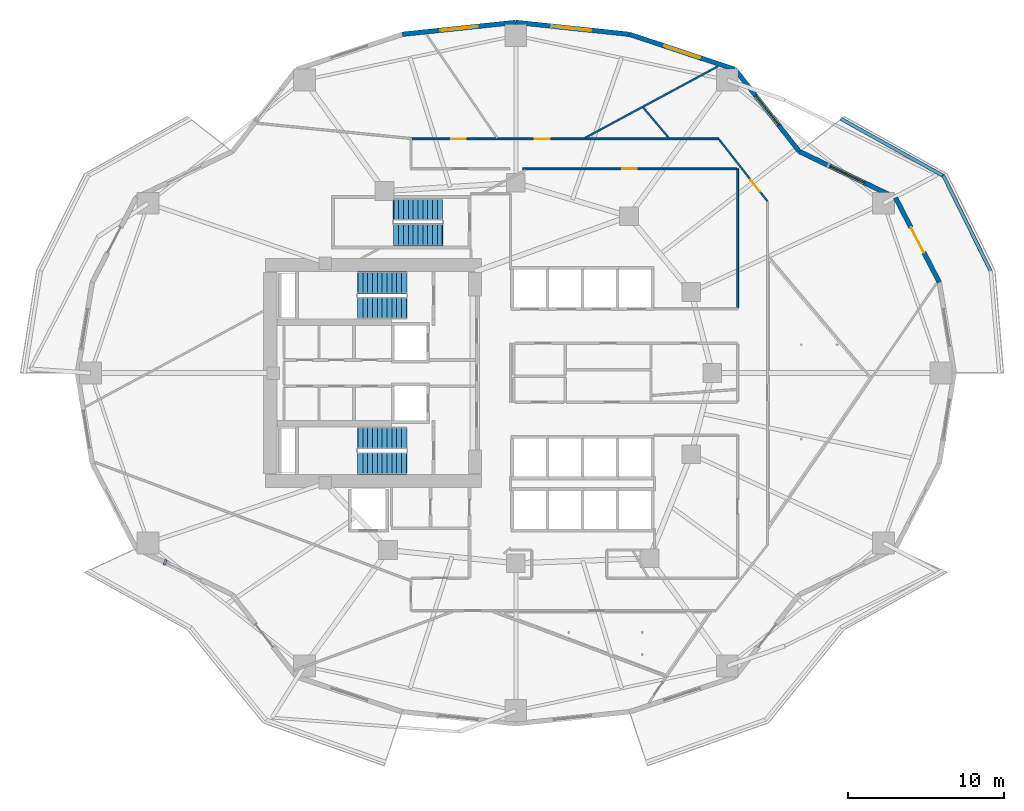
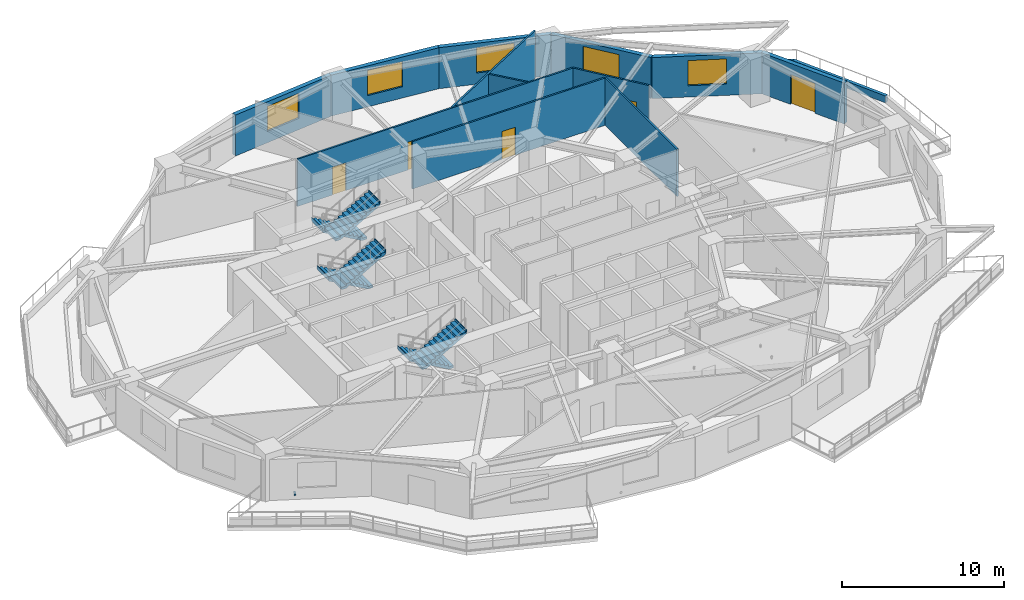
# One storey, part 7 of 16: 14 walls, 6 stair flights, 5 doors, 5 windows, 1 discrete accessory, 10 openings, 3 elements without a shape of their own.
"""IFC4 building model written with IfcOpenShell, lengths in metres."""

from ifc_helpers import new_model, si_unit, direction, frame, frame_2d, origin, origin_2d, place, context, subcontext, project, spatial, polyline, rectangle, outline, extrude, material, layer, layer_set, type_object, element, fill, aggregate, save


model = new_model("IFC4")

# Units and contexts
model_context = context("Model", 3, precision=1e-05, world=origin(), true_north=direction((0.0, 1.0)))
body_context = subcontext(model_context, "Body", "Model", "MODEL_VIEW")
ifc_project = project(units=[si_unit("LENGTHUNIT", "METRE"), si_unit("AREAUNIT", "SQUARE_METRE"), si_unit("VOLUMEUNIT", "CUBIC_METRE"), si_unit("PLANEANGLEUNIT", "RADIAN"), si_unit("MASSUNIT", "GRAM", prefix="KILO")], contexts=[model_context])

# Site, building, storey
site_placement = place(None, origin())
site = spatial("IfcSite", under=ifc_project, at=site_placement, CompositionType="ELEMENT")
building_placement = place(site_placement, origin())
building = spatial("IfcBuilding", under=site, at=building_placement, Name="Kolvaren Gate Tower and Convention Centre", CompositionType="ELEMENT")
storey_placement = place(building_placement, frame((0.0, 0.0, 34.199951171875)))
storey = spatial("IfcBuildingStorey", under=building, at=storey_placement, Name="L07", CompositionType="ELEMENT", Elevation=34.199951171875)

# Wall
ifc_material_1 = material(Name="Fire-Rated Acoustic Gypsum Stud Partition", Category="gypsum")
ifc_layer_1 = layer(ifc_material_1, 0.1201171875)
ifc_layer_set_1 = layer_set([ifc_layer_1], Name="Fire-Rated Acoustic Gypsum Stud Partition")
wall_type_1 = type_object("IfcWallType", Name="ARCH-WL-PART-120", PredefinedType="PARTITIONING", material=ifc_layer_set_1)
wall_1_placement = place(storey_placement, frame((44.35009765625, 31.181884765625, 0.0), z_axis=(0.0, 0.0, 1.0), x_axis=(0.0, 1.0, 0.0)))
element("IfcWall", 1, at=wall_1_placement, inside=storey, type_object=wall_type_1, Name="Interior Partition WL-L07-INT-028", PredefinedType="PARTITIONING", context=body_context, shape_type="SweptSolid", body=[
    extrude(rectangle(XDim=8.918212890625, YDim=0.1201171875, at=frame_2d((4.458984375, 0.0))), origin(), (0.0, 0.0, 1.0), 3.570068359375),
])

# Wall, opening, door
wall_2_placement = place(storey_placement, frame((30.556884765625, 40.10009765625, 0.0), z_axis=(0.0, 0.0, 1.0), x_axis=(1.0, 0.0, 0.0)))
wall_2 = element("IfcWall", 2, at=wall_2_placement, inside=storey, type_object=wall_type_1, Name="Interior Partition WL-L07-INT-030", PredefinedType="PARTITIONING", context=body_context, shape_type="SweptSolid", body=[
    extrude(rectangle(XDim=13.731201171875, YDim=0.1201171875, at=frame_2d((6.86572265625, 0.0))), origin(), (0.0, 0.0, 1.0), 3.570068359375),
])
opening_1_placement = place(wall_2_placement, frame((6.390380859375, 0.0, 0.0)))
opening_1 = element("IfcOpeningElement", 3, at=opening_1_placement, cuts=wall_2, Name="Opening DR-01", PredefinedType="OPENING", context=body_context, shape_type="SweptSolid", body=[
    extrude(rectangle(XDim=0.949951171875, YDim=2.10009765625, at=frame_2d((0.47509765625, 1.050048828125))), frame((0.0, 0.070068359375, 0.0), z_axis=(0.0, -1.0, 0.0), x_axis=(1.0, 0.0, 0.0)), (0.0, 0.0, 1.0), 0.14013671875),
])
ifc_material_2 = material(Name="Painted Architectural Steelwork ASTM A500 Grade C 345 MPa", Category="steel")
door_type_1 = type_object("IfcDoorType", Name="ARCH-DR-RISER-950", OperationType="SINGLE_SWING_RIGHT", PredefinedType="DOOR", material=ifc_material_2)
door_1_placement = place(opening_1_placement, origin())
door_1 = element("IfcDoor", 4, at=door_1_placement, inside=storey, type_object=door_type_1, Name="Conference and Training Seminar Room Door", OperationType="SINGLE_SWING_RIGHT", OverallHeight=2.10009765625, OverallWidth=0.949951171875, PredefinedType="DOOR", context=body_context, shape_type="SweptSolid", body=[
    extrude(rectangle(XDim=0.949951171875, YDim=2.10009765625, at=frame_2d((0.47509765625, 1.050048828125))), frame((0.0, 0.02490234375, 0.0), z_axis=(0.0, -1.0, 0.0), x_axis=(1.0, 0.0, 0.0)), (0.0, 0.0, 1.0), 0.050048828125),
])
fill(opening_1, door_1)

# Wall, openings, doors
wall_3_placement = place(storey_placement, frame((23.4619140625, 42.02001953125, 0.0), z_axis=(0.0, 0.0, 1.0), x_axis=(1.0, 0.0, 0.0)))
wall_3 = element("IfcWall", 5, at=wall_3_placement, inside=storey, type_object=wall_type_1, Name="Interior Partition WL-L07-INT-033", PredefinedType="PARTITIONING", context=body_context, shape_type="SweptSolid", body=[
    extrude(rectangle(XDim=19.675048828125, YDim=0.1201171875, at=frame_2d((9.83740234375, 0.0))), origin(), (0.0, 0.0, 1.0), 3.570068359375),
])
opening_2_placement = place(wall_3_placement, frame((7.877197265625, 0.0, 0.0)))
opening_2 = element("IfcOpeningElement", 6, at=opening_2_placement, cuts=wall_3, Name="Opening DR-01", PredefinedType="OPENING", context=body_context, shape_type="SweptSolid", body=[
    extrude(rectangle(XDim=0.949951171875, YDim=2.10009765625, at=frame_2d((0.47509765625, 1.050048828125))), frame((0.0, 0.070068359375, 0.0), z_axis=(0.0, -1.0, 0.0), x_axis=(1.0, 0.0, 0.0)), (0.0, 0.0, 1.0), 0.14013671875),
])
opening_3_placement = place(wall_3_placement, frame((2.511474609375, 0.0, 0.0)))
opening_3 = element("IfcOpeningElement", 7, at=opening_3_placement, cuts=wall_3, Name="Opening DR-01", PredefinedType="OPENING", context=body_context, shape_type="SweptSolid", body=[
    extrude(rectangle(XDim=0.949951171875, YDim=2.10009765625, at=frame_2d((0.47509765625, 1.050048828125))), frame((0.0, 0.070068359375, 0.0), z_axis=(0.0, -1.0, 0.0), x_axis=(1.0, 0.0, 0.0)), (0.0, 0.0, 1.0), 0.14013671875),
])
door_2_placement = place(opening_2_placement, origin())
door_2 = element("IfcDoor", 8, at=door_2_placement, inside=storey, type_object=door_type_1, Name="Project Seminar Room Door", OperationType="SINGLE_SWING_LEFT", OverallHeight=2.10009765625, OverallWidth=0.949951171875, PredefinedType="DOOR", context=body_context, shape_type="SweptSolid", body=[
    extrude(rectangle(XDim=0.949951171875, YDim=2.10009765625, at=frame_2d((0.47509765625, 1.050048828125))), frame((0.0, 0.02490234375, 0.0), z_axis=(0.0, -1.0, 0.0), x_axis=(1.0, 0.0, 0.0)), (0.0, 0.0, 1.0), 0.050048828125),
])
fill(opening_2, door_2)
door_3_placement = place(opening_3_placement, origin())
door_3 = element("IfcDoor", 9, at=door_3_placement, inside=storey, type_object=door_type_1, Name="Executive Seminar Conference Room Door", OperationType="SINGLE_SWING_RIGHT", OverallHeight=2.10009765625, OverallWidth=0.949951171875, PredefinedType="DOOR", context=body_context, shape_type="SweptSolid", body=[
    extrude(rectangle(XDim=0.949951171875, YDim=2.10009765625, at=frame_2d((0.47509765625, 1.050048828125))), frame((0.0, 0.02490234375, 0.0), z_axis=(0.0, -1.0, 0.0), x_axis=(1.0, 0.0, 0.0)), (0.0, 0.0, 1.0), 0.050048828125),
])
fill(opening_3, door_3)

# Wall, opening, door
wall_4_placement = place(storey_placement, frame((43.136962890625, 42.02001953125, 0.0), z_axis=(0.0, 0.0, 1.0), x_axis=(0.616441660183, -0.787400583941, 0.0)))
wall_4 = element("IfcWall", 10, at=wall_4_placement, inside=storey, type_object=wall_type_1, Name="Interior Partition WL-L07-INT-034", PredefinedType="PARTITIONING", context=body_context, shape_type="SweptSolid", body=[
    extrude(rectangle(XDim=5.08251953125, YDim=0.1201171875, at=frame_2d((2.541259765625, 0.0))), origin(), (0.0, 0.0, 1.0), 3.570068359375),
])
opening_4_placement = place(wall_4_placement, frame((3.326171875, 0.0, 0.0)))
opening_4 = element("IfcOpeningElement", 11, at=opening_4_placement, cuts=wall_4, Name="Opening DR-01", PredefinedType="OPENING", context=body_context, shape_type="SweptSolid", body=[
    extrude(rectangle(XDim=0.949951171875, YDim=2.10009765625, at=frame_2d((0.47509765625, 1.050048828125))), frame((0.0, 0.070068359375, 0.0), z_axis=(0.0, -1.0, 0.0), x_axis=(1.0, 0.0, 0.0)), (0.0, 0.0, 1.0), 0.14013671875),
])
door_4_placement = place(opening_4_placement, origin())
door_4 = element("IfcDoor", 12, at=door_4_placement, inside=storey, type_object=door_type_1, Name="Conference and Training Seminar Room Door", OperationType="SINGLE_SWING_LEFT", OverallHeight=2.10009765625, OverallWidth=0.949951171875, PredefinedType="DOOR", context=body_context, shape_type="SweptSolid", body=[
    extrude(rectangle(XDim=0.949951171875, YDim=2.10009765625, at=frame_2d((0.47509765625, 1.050048828125))), frame((0.0, 0.02490234375, 0.0), z_axis=(0.0, -1.0, 0.0), x_axis=(1.0, 0.0, 0.0)), (0.0, 0.0, 1.0), 0.050048828125),
])
fill(opening_4, door_4)

# Walls
wall_5_placement = place(storey_placement, frame((34.556884765625, 42.08203125, 0.0), z_axis=(0.0, 0.0, 1.0), x_axis=(0.880504205361, 0.474038336362, 0.0)))
element("IfcWall", 13, at=wall_5_placement, inside=storey, type_object=wall_type_1, Name="Interior Partition WL-L07-INT-053", PredefinedType="PARTITIONING", context=body_context, shape_type="SweptSolid", body=[
    extrude(rectangle(XDim=9.708251953125, YDim=0.1201171875, at=frame_2d((4.85400390625, 0.0))), origin(), (0.0, 0.0, 1.0), 3.570068359375),
])
wall_6_placement = place(storey_placement, frame((38.30224609375, 44.028076171875, 0.0), z_axis=(0.0, 0.0, 1.0), x_axis=(0.644336623354, -0.764741992965, 0.0)))
element("IfcWall", 14, at=wall_6_placement, inside=storey, type_object=wall_type_1, Name="Interior Partition WL-L07-INT-060", PredefinedType="PARTITIONING", context=body_context, shape_type="SweptSolid", body=[
    extrude(rectangle(XDim=2.544677734375, YDim=0.1201171875, at=frame_2d((1.2724609375, 0.0))), origin(), (0.0, 0.0, 1.0), 3.570068359375),
])
ifc_material_3 = material(Name="Piedmont Cream Honed Limestone Cladding", Category="masonry")
ifc_layer_2 = layer(ifc_material_3, 0.219970703125)
ifc_layer_set_2 = layer_set([ifc_layer_2], Name="Piedmont Cream Honed Limestone Cladding")
wall_type_2 = type_object("IfcWallType", Name="ARCH-WL-PLANTER-220", PredefinedType="PARAPET", material=ifc_layer_set_2)
wall_7_placement = place(storey_placement, frame((57.538818359375, 39.696533203125, 0.0), z_axis=(0.0, 0.0, 1.0), x_axis=(0.443578479433, -0.8962355341, 0.0)))
element("IfcWall", 15, at=wall_7_placement, inside=storey, type_object=wall_type_2, Name="Vertical-Forest Balcony Stone Planter Kerb PK-L07-1.2", PredefinedType="PARAPET", context=body_context, shape_type="SweptSolid", body=[
    extrude(rectangle(XDim=6.9111328125, YDim=0.219970703125, at=frame_2d((3.45556640625, 0.0))), origin(), (0.0, 0.0, 1.0), 0.52001953125),
])
wall_8_placement = place(storey_placement, frame((50.959228515625, 43.322021484375, 0.0), z_axis=(0.0, 0.0, 1.0), x_axis=(0.873500119739, -0.48682393205, 0.0)))
element("IfcWall", 16, at=wall_8_placement, inside=storey, type_object=wall_type_2, Name="Vertical-Forest Balcony Stone Planter Kerb PK-L07-1.3", PredefinedType="PARAPET", context=body_context, shape_type="SweptSolid", body=[
    extrude(rectangle(XDim=7.56201171875, YDim=0.219970703125, at=frame_2d((3.781005859375, 0.0))), origin(), (0.0, 0.0, 1.0), 0.52001953125),
])

# Wall, opening, door
ifc_layer_3 = layer(ifc_material_3, 0.300048828125)
ifc_layer_set_3 = layer_set([ifc_layer_3], Name="Piedmont Cream Honed Limestone Cladding")
wall_type_3 = type_object("IfcWallType", Name="ARCH-WL-STONE-300", PredefinedType="SOLIDWALL", material=ifc_layer_set_3)
wall_9_placement = place(storey_placement, frame((54.48193359375, 38.25, 0.0), z_axis=(0.0, 0.0, 1.0), x_axis=(0.459809804413, -0.88801742312, 0.0)))
wall_9 = element("IfcWall", 17, at=wall_9_placement, inside=storey, type_object=wall_type_3, Name="Tower L07 Honed Stone Spandrel Wall EW-01", PredefinedType="SOLIDWALL", context=body_context, shape_type="SweptSolid", body=[
    extrude(rectangle(XDim=6.11083984375, YDim=0.300048828125, at=frame_2d((3.055419921875, 0.0))), origin(), (0.0, 0.0, 1.0), 3.093017578125),
])
opening_5_placement = place(wall_9_placement, frame((2.155029296875, 0.0, 0.0)))
opening_5 = element("IfcOpeningElement", 18, at=opening_5_placement, cuts=wall_9, Name="Opening DB-01", PredefinedType="OPENING", context=body_context, shape_type="SweptSolid", body=[
    extrude(rectangle(XDim=1.800048828125, YDim=2.25, at=frame_2d((0.89990234375, 1.125))), frame((0.0, 0.159912109375, 0.0), z_axis=(0.0, -1.0, 0.0), x_axis=(1.0, 0.0, 0.0)), (0.0, 0.0, 1.0), 0.320068359375),
])
ifc_material_4 = material(Name="Anodized Architectural Aluminium Alloy 6063-T6", Category="aluminium")
door_type_2 = type_object("IfcDoorType", Name="ARCH-DR-BALC-1800", OperationType="SLIDING_TO_LEFT", PredefinedType="DOOR", material=ifc_material_4)
door_5_placement = place(opening_5_placement, origin())
door_5 = element("IfcDoor", 19, at=door_5_placement, inside=storey, type_object=door_type_2, Name="Planted Sky Terrace Access Door DB-L07-01", OperationType="SLIDING_TO_LEFT", OverallHeight=2.25, OverallWidth=1.800048828125, PredefinedType="DOOR", context=body_context, shape_type="SweptSolid", body=[
    extrude(rectangle(XDim=1.800048828125, YDim=2.25, at=frame_2d((0.89990234375, 1.125))), frame((0.0, 0.02490234375, 0.0), z_axis=(0.0, -1.0, 0.0), x_axis=(1.0, 0.0, 0.0)), (0.0, 0.0, 1.0), 0.050048828125),
])
fill(opening_5, door_5)

# Wall, opening, window
wall_10_placement = place(storey_placement, frame((48.315185546875, 41.212890625, 0.0), z_axis=(0.0, 0.0, 1.0), x_axis=(0.901360393999, -0.433069786673, 0.0)))
wall_10 = element("IfcWall", 20, at=wall_10_placement, inside=storey, type_object=wall_type_3, Name="Tower L07 Honed Stone Spandrel Wall EW-02", PredefinedType="SOLIDWALL", context=body_context, shape_type="SweptSolid", body=[
    extrude(rectangle(XDim=6.841552734375, YDim=0.300048828125, at=frame_2d((3.4208984375, 0.0))), origin(), (0.0, 0.0, 1.0), 3.093017578125),
])
opening_6_placement = place(wall_10_placement, frame((2.220947265625, 0.0, 0.85009765625)))
opening_6 = element("IfcOpeningElement", 21, at=opening_6_placement, cuts=wall_10, Name="Opening W-01", PredefinedType="OPENING", context=body_context, shape_type="SweptSolid", body=[
    extrude(rectangle(XDim=2.39990234375, YDim=1.89990234375, at=frame_2d((1.199951171875, 0.949951171875))), frame((0.0, 0.159912109375, 0.0), z_axis=(0.0, -1.0, 0.0), x_axis=(1.0, 0.0, 0.0)), (0.0, 0.0, 1.0), 0.320068359375),
])
ifc_material_5 = material(Name="Low-E Triple Insulated Glazing Unit 44 mm", Category="glass")
window_type = type_object("IfcWindowType", Name="ARCH-WN-OFF-2400", PartitioningType="SINGLE_PANEL", PredefinedType="WINDOW", material=ifc_material_5)
window_1_placement = place(opening_6_placement, origin())
window_1 = element("IfcWindow", 22, at=window_1_placement, inside=storey, type_object=window_type, Name="Tower L07 Punched Stone Facade Window W-02", OverallHeight=1.89990234375, OverallWidth=2.39990234375, PartitioningType="SINGLE_PANEL", PredefinedType="WINDOW", context=body_context, shape_type="SweptSolid", body=[
    extrude(rectangle(XDim=2.39990234375, YDim=1.89990234375, at=frame_2d((1.199951171875, 0.949951171875))), frame((0.0, 0.030029296875, 0.0), z_axis=(0.0, -1.0, 0.0), x_axis=(1.0, 0.0, 0.0)), (0.0, 0.0, 1.0), 0.06005859375),
])
fill(opening_6, window_1)

wall_11_placement = place(storey_placement, frame((44.1875, 46.485595703125, 0.0), z_axis=(0.0, 0.0, 1.0), x_axis=(0.616421309777, -0.787416515482, 0.0)))
wall_11 = element("IfcWall", 23, at=wall_11_placement, inside=storey, type_object=wall_type_3, Name="Tower L07 Honed Stone Spandrel Wall EW-03", PredefinedType="SOLIDWALL", context=body_context, shape_type="SweptSolid", body=[
    extrude(rectangle(XDim=6.6962890625, YDim=0.300048828125, at=frame_2d((3.34814453125, 0.0))), origin(), (0.0, 0.0, 1.0), 3.093017578125),
])
opening_7_placement = place(wall_11_placement, frame((2.14794921875, 0.0, 0.85009765625)))
opening_7 = element("IfcOpeningElement", 24, at=opening_7_placement, cuts=wall_11, Name="Opening W-01", PredefinedType="OPENING", context=body_context, shape_type="SweptSolid", body=[
    extrude(rectangle(XDim=2.39990234375, YDim=1.89990234375, at=frame_2d((1.199951171875, 0.949951171875))), frame((0.0, 0.159912109375, 0.0), z_axis=(0.0, -1.0, 0.0), x_axis=(1.0, 0.0, 0.0)), (0.0, 0.0, 1.0), 0.320068359375),
])
window_2_placement = place(opening_7_placement, origin())
window_2 = element("IfcWindow", 25, at=window_2_placement, inside=storey, type_object=window_type, Name="Tower L07 Punched Stone Facade Window W-03", OverallHeight=1.89990234375, OverallWidth=2.39990234375, PartitioningType="SINGLE_PANEL", PredefinedType="WINDOW", context=body_context, shape_type="SweptSolid", body=[
    extrude(rectangle(XDim=2.39990234375, YDim=1.89990234375, at=frame_2d((1.199951171875, 0.949951171875))), frame((0.0, 0.030029296875, 0.0), z_axis=(0.0, -1.0, 0.0), x_axis=(1.0, 0.0, 0.0)), (0.0, 0.0, 1.0), 0.06005859375),
])
fill(opening_7, window_2)

wall_12_placement = place(storey_placement, frame((37.404296875, 48.7333984375, 0.0), z_axis=(0.0, 0.0, 1.0), x_axis=(0.949238715533, -0.31455661006, 0.0)))
wall_12 = element("IfcWall", 26, at=wall_12_placement, inside=storey, type_object=wall_type_3, Name="Tower L07 Honed Stone Spandrel Wall EW-04", PredefinedType="SOLIDWALL", context=body_context, shape_type="SweptSolid", body=[
    extrude(rectangle(XDim=7.14599609375, YDim=0.300048828125, at=frame_2d((3.572998046875, 0.0))), origin(), (0.0, 0.0, 1.0), 3.093017578125),
])
opening_8_placement = place(wall_12_placement, frame((2.373046875, 0.0, 0.85009765625)))
opening_8 = element("IfcOpeningElement", 27, at=opening_8_placement, cuts=wall_12, Name="Opening W-01", PredefinedType="OPENING", context=body_context, shape_type="SweptSolid", body=[
    extrude(rectangle(XDim=2.39990234375, YDim=1.89990234375, at=frame_2d((1.199951171875, 0.949951171875))), frame((0.0, 0.159912109375, 0.0), z_axis=(0.0, -1.0, 0.0), x_axis=(1.0, 0.0, 0.0)), (0.0, 0.0, 1.0), 0.320068359375),
])
window_3_placement = place(opening_8_placement, origin())
window_3 = element("IfcWindow", 28, at=window_3_placement, inside=storey, type_object=window_type, Name="Tower L07 Punched Stone Facade Window W-04", OverallHeight=1.89990234375, OverallWidth=2.39990234375, PartitioningType="SINGLE_PANEL", PredefinedType="WINDOW", context=body_context, shape_type="SweptSolid", body=[
    extrude(rectangle(XDim=2.39990234375, YDim=1.89990234375, at=frame_2d((1.199951171875, 0.949951171875))), frame((0.0, 0.030029296875, 0.0), z_axis=(0.0, -1.0, 0.0), x_axis=(1.0, 0.0, 0.0)), (0.0, 0.0, 1.0), 0.06005859375),
])
fill(opening_8, window_3)

wall_13_placement = place(storey_placement, frame((30.125, 49.5, 0.0), z_axis=(0.0, 0.0, 1.0), x_axis=(0.994500334317, -0.104733399844, 0.0)))
wall_13 = element("IfcWall", 29, at=wall_13_placement, inside=storey, type_object=wall_type_3, Name="Tower L07 Honed Stone Spandrel Wall EW-05", PredefinedType="SOLIDWALL", context=body_context, shape_type="SweptSolid", body=[
    extrude(rectangle(XDim=7.319580078125, YDim=0.300048828125, at=frame_2d((3.65966796875, 0.0))), origin(), (0.0, 0.0, 1.0), 3.093017578125),
])
opening_9_placement = place(wall_13_placement, frame((2.4599609375, 0.0, 0.85009765625)))
opening_9 = element("IfcOpeningElement", 30, at=opening_9_placement, cuts=wall_13, Name="Opening W-01", PredefinedType="OPENING", context=body_context, shape_type="SweptSolid", body=[
    extrude(rectangle(XDim=2.39990234375, YDim=1.89990234375, at=frame_2d((1.199951171875, 0.949951171875))), frame((0.0, 0.159912109375, 0.0), z_axis=(0.0, -1.0, 0.0), x_axis=(1.0, 0.0, 0.0)), (0.0, 0.0, 1.0), 0.320068359375),
])
window_4_placement = place(opening_9_placement, origin())
window_4 = element("IfcWindow", 31, at=window_4_placement, inside=storey, type_object=window_type, Name="Tower L07 Punched Stone Facade Window W-05", OverallHeight=1.89990234375, OverallWidth=2.39990234375, PartitioningType="SINGLE_PANEL", PredefinedType="WINDOW", context=body_context, shape_type="SweptSolid", body=[
    extrude(rectangle(XDim=2.39990234375, YDim=1.89990234375, at=frame_2d((1.199951171875, 0.949951171875))), frame((0.0, 0.030029296875, 0.0), z_axis=(0.0, -1.0, 0.0), x_axis=(1.0, 0.0, 0.0)), (0.0, 0.0, 1.0), 0.06005859375),
])
fill(opening_9, window_4)

wall_14_placement = place(storey_placement, frame((22.845703125, 48.7333984375, 0.0), z_axis=(0.0, 0.0, 1.0), x_axis=(0.994500334317, 0.104733399844, 0.0)))
wall_14 = element("IfcWall", 32, at=wall_14_placement, inside=storey, type_object=wall_type_3, Name="Tower L07 Honed Stone Spandrel Wall EW-06", PredefinedType="SOLIDWALL", context=body_context, shape_type="SweptSolid", body=[
    extrude(rectangle(XDim=7.319580078125, YDim=0.300048828125, at=frame_2d((3.65966796875, 0.0))), origin(), (0.0, 0.0, 1.0), 3.093017578125),
])
opening_10_placement = place(wall_14_placement, frame((2.4599609375, 0.0, 0.85009765625)))
opening_10 = element("IfcOpeningElement", 33, at=opening_10_placement, cuts=wall_14, Name="Opening W-01", PredefinedType="OPENING", context=body_context, shape_type="SweptSolid", body=[
    extrude(rectangle(XDim=2.39990234375, YDim=1.89990234375, at=frame_2d((1.199951171875, 0.949951171875))), frame((0.0, 0.159912109375, 0.0), z_axis=(0.0, -1.0, 0.0), x_axis=(1.0, 0.0, 0.0)), (0.0, 0.0, 1.0), 0.320068359375),
])
window_5_placement = place(opening_10_placement, origin())
window_5 = element("IfcWindow", 34, at=window_5_placement, inside=storey, type_object=window_type, Name="Tower L07 Punched Stone Facade Window W-06", OverallHeight=1.89990234375, OverallWidth=2.39990234375, PartitioningType="SINGLE_PANEL", PredefinedType="WINDOW", context=body_context, shape_type="SweptSolid", body=[
    extrude(rectangle(XDim=2.39990234375, YDim=1.89990234375, at=frame_2d((1.199951171875, 0.949951171875))), frame((0.0, 0.030029296875, 0.0), z_axis=(0.0, -1.0, 0.0), x_axis=(1.0, 0.0, 0.0)), (0.0, 0.0, 1.0), 0.06005859375),
])
fill(opening_10, window_5)

# Stair, stair flights
ifc_material_6 = material(Name="Concrete C50/60", Category="concrete")
stair_type = type_object("IfcStairType", Name="STR-STAIR-CORE", PredefinedType="HALF_TURN_STAIR", material=ifc_material_6)
stair_1_placement = place(storey_placement, origin())
stair_1 = element("IfcStair", 35, at=stair_1_placement, inside=storey, type_object=stair_type, Name="L07 Tower North Exit Stair ST-T1", PredefinedType="HALF_TURN_STAIR")
stair_flight_type = type_object("IfcStairFlightType", Name="STR-SFL-1420", PredefinedType="STRAIGHT", material=ifc_material_6)
stair_flight_1_placement = place(storey_placement, frame((23.10009765625, 32.7900390625, 0.0), z_axis=(0.0, 0.0, 1.0), x_axis=(-1.0, 0.0, 0.0)))
stair_flight_1 = element("IfcStairFlight", 36, at=stair_flight_1_placement, type_object=stair_flight_type, Name="ST-T1 flight 1", NumberOfRisers=11, NumberOfTreads=10, PredefinedType="STRAIGHT", RiserHeight=0.175, TreadLength=0.31, context=body_context, shape_type="SweptSolid", body=[
    extrude(outline(polyline([(-0.034912109375, 0.0), (-0.034912109375, 0.175048828125), (0.31005859375, 0.175048828125), (0.31005859375, 0.35009765625), (0.6201171875, 0.35009765625), (0.6201171875, 0.52490234375), (0.929931640625, 0.52490234375), (0.929931640625, 0.699951171875), (1.239990234375, 0.699951171875), (1.239990234375, 0.875), (1.550048828125, 0.875), (1.550048828125, 1.050048828125), (1.860107421875, 1.050048828125), (1.860107421875, 1.22509765625), (2.169921875, 1.22509765625), (2.169921875, 1.39990234375), (2.47998046875, 1.39990234375), (2.47998046875, 1.574951171875), (2.7900390625, 1.574951171875), (2.7900390625, 1.75), (3.10009765625, 1.75), (3.10009765625, 1.925048828125), (3.14501953125, 1.925048828125), (3.14501953125, 1.764892578125), (3.10009765625, 1.577880859375), (0.304931640625, 0.0), (-0.034912109375, 0.0)])), frame((0.0, 0.7099609375, 0.0), z_axis=(0.0, -1.0, 0.0), x_axis=(1.0, 0.0, 0.0)), (0.0, 0.0, 1.0), 1.419921875),
])
stair_flight_2_placement = place(storey_placement, frame((20.0, 31.169921875, 1.925048828125), z_axis=(0.0, 0.0, 1.0), x_axis=(1.0, 0.0, 0.0)))
stair_flight_2 = element("IfcStairFlight", 37, at=stair_flight_2_placement, type_object=stair_flight_type, Name="ST-T1 flight 2", NumberOfRisers=11, NumberOfTreads=10, PredefinedType="STRAIGHT", RiserHeight=0.175, TreadLength=0.31, context=body_context, shape_type="SweptSolid", body=[
    extrude(outline(polyline([(-0.034912109375, 0.0), (-0.034912109375, 0.175048828125), (0.31005859375, 0.175048828125), (0.31005859375, 0.35009765625), (0.6201171875, 0.35009765625), (0.6201171875, 0.52490234375), (0.929931640625, 0.52490234375), (0.929931640625, 0.699951171875), (1.239990234375, 0.699951171875), (1.239990234375, 0.875), (1.550048828125, 0.875), (1.550048828125, 1.050048828125), (1.860107421875, 1.050048828125), (1.860107421875, 1.22509765625), (2.169921875, 1.22509765625), (2.169921875, 1.39990234375), (2.47998046875, 1.39990234375), (2.47998046875, 1.574951171875), (2.7900390625, 1.574951171875), (2.7900390625, 1.75), (3.10009765625, 1.75), (3.10009765625, 1.925048828125), (3.14501953125, 1.925048828125), (3.14501953125, 1.764892578125), (3.10009765625, 1.577880859375), (0.304931640625, 0.0), (-0.034912109375, 0.0)])), frame((0.0, 0.7099609375, 0.0), z_axis=(0.0, -1.0, 0.0), x_axis=(1.0, 0.0, 0.0)), (0.0, 0.0, 1.0), 1.419921875),
])
aggregate(stair_1, [stair_flight_1, stair_flight_2])

stair_2_placement = place(storey_placement, origin())
stair_2 = element("IfcStair", 38, at=stair_2_placement, inside=storey, type_object=stair_type, Name="L07 Tower South Exit Stair ST-T2", PredefinedType="HALF_TURN_STAIR")
stair_flight_3_placement = place(storey_placement, frame((23.10009765625, 22.830078125, 0.0), z_axis=(0.0, 0.0, 1.0), x_axis=(-1.0, 0.0, 0.0)))
stair_flight_3 = element("IfcStairFlight", 39, at=stair_flight_3_placement, type_object=stair_flight_type, Name="ST-T2 flight 1", NumberOfRisers=11, NumberOfTreads=10, PredefinedType="STRAIGHT", RiserHeight=0.175, TreadLength=0.31, context=body_context, shape_type="SweptSolid", body=[
    extrude(outline(polyline([(-0.034912109375, 0.0), (-0.034912109375, 0.175048828125), (0.31005859375, 0.175048828125), (0.31005859375, 0.35009765625), (0.6201171875, 0.35009765625), (0.6201171875, 0.52490234375), (0.929931640625, 0.52490234375), (0.929931640625, 0.699951171875), (1.239990234375, 0.699951171875), (1.239990234375, 0.875), (1.550048828125, 0.875), (1.550048828125, 1.050048828125), (1.860107421875, 1.050048828125), (1.860107421875, 1.22509765625), (2.169921875, 1.22509765625), (2.169921875, 1.39990234375), (2.47998046875, 1.39990234375), (2.47998046875, 1.574951171875), (2.7900390625, 1.574951171875), (2.7900390625, 1.75), (3.10009765625, 1.75), (3.10009765625, 1.925048828125), (3.14501953125, 1.925048828125), (3.14501953125, 1.764892578125), (3.10009765625, 1.577880859375), (0.304931640625, 0.0), (-0.034912109375, 0.0)])), frame((0.0, 0.7099609375, 0.0), z_axis=(0.0, -1.0, 0.0), x_axis=(1.0, 0.0, 0.0)), (0.0, 0.0, 1.0), 1.419921875),
])
stair_flight_4_placement = place(storey_placement, frame((20.0, 21.2099609375, 1.925048828125), z_axis=(0.0, 0.0, 1.0), x_axis=(1.0, 0.0, 0.0)))
stair_flight_4 = element("IfcStairFlight", 40, at=stair_flight_4_placement, type_object=stair_flight_type, Name="ST-T2 flight 2", NumberOfRisers=11, NumberOfTreads=10, PredefinedType="STRAIGHT", RiserHeight=0.175, TreadLength=0.31, context=body_context, shape_type="SweptSolid", body=[
    extrude(outline(polyline([(-0.034912109375, 0.0), (-0.034912109375, 0.175048828125), (0.31005859375, 0.175048828125), (0.31005859375, 0.35009765625), (0.6201171875, 0.35009765625), (0.6201171875, 0.52490234375), (0.929931640625, 0.52490234375), (0.929931640625, 0.699951171875), (1.239990234375, 0.699951171875), (1.239990234375, 0.875), (1.550048828125, 0.875), (1.550048828125, 1.050048828125), (1.860107421875, 1.050048828125), (1.860107421875, 1.22509765625), (2.169921875, 1.22509765625), (2.169921875, 1.39990234375), (2.47998046875, 1.39990234375), (2.47998046875, 1.574951171875), (2.7900390625, 1.574951171875), (2.7900390625, 1.75), (3.10009765625, 1.75), (3.10009765625, 1.925048828125), (3.14501953125, 1.925048828125), (3.14501953125, 1.764892578125), (3.10009765625, 1.577880859375), (0.304931640625, 0.0), (-0.034912109375, 0.0)])), frame((0.0, 0.7099609375, 0.0), z_axis=(0.0, -1.0, 0.0), x_axis=(1.0, 0.0, 0.0)), (0.0, 0.0, 1.0), 1.419921875),
])
aggregate(stair_2, [stair_flight_3, stair_flight_4])

stair_3_placement = place(storey_placement, origin())
stair_3 = element("IfcStair", 41, at=stair_3_placement, inside=storey, type_object=stair_type, Name="L07 Tower Mid-Zone Exit Stair ST-T3", PredefinedType="HALF_TURN_STAIR")
stair_flight_5_placement = place(storey_placement, frame((25.39990234375, 37.489990234375, 0.0), z_axis=(0.0, 0.0, 1.0), x_axis=(-1.0, 0.0, 0.0)))
stair_flight_5 = element("IfcStairFlight", 42, at=stair_flight_5_placement, type_object=stair_flight_type, Name="ST-T3 flight 1", NumberOfRisers=11, NumberOfTreads=10, PredefinedType="STRAIGHT", RiserHeight=0.175, TreadLength=0.31, context=body_context, shape_type="SweptSolid", body=[
    extrude(outline(polyline([(-0.034912109375, 0.0), (-0.034912109375, 0.175048828125), (0.31005859375, 0.175048828125), (0.31005859375, 0.35009765625), (0.6201171875, 0.35009765625), (0.6201171875, 0.52490234375), (0.929931640625, 0.52490234375), (0.929931640625, 0.699951171875), (1.239990234375, 0.699951171875), (1.239990234375, 0.875), (1.550048828125, 0.875), (1.550048828125, 1.050048828125), (1.860107421875, 1.050048828125), (1.860107421875, 1.22509765625), (2.169921875, 1.22509765625), (2.169921875, 1.39990234375), (2.47998046875, 1.39990234375), (2.47998046875, 1.574951171875), (2.7900390625, 1.574951171875), (2.7900390625, 1.75), (3.10009765625, 1.75), (3.10009765625, 1.925048828125), (3.14501953125, 1.925048828125), (3.14501953125, 1.764892578125), (3.10009765625, 1.577880859375), (0.304931640625, 0.0), (-0.034912109375, 0.0)])), frame((0.0, 0.7099609375, 0.0), z_axis=(0.0, -1.0, 0.0), x_axis=(1.0, 0.0, 0.0)), (0.0, 0.0, 1.0), 1.419921875),
])
stair_flight_6_placement = place(storey_placement, frame((22.300048828125, 35.8701171875, 1.925048828125), z_axis=(0.0, 0.0, 1.0), x_axis=(1.0, 0.0, 0.0)))
stair_flight_6 = element("IfcStairFlight", 43, at=stair_flight_6_placement, type_object=stair_flight_type, Name="ST-T3 flight 2", NumberOfRisers=11, NumberOfTreads=10, PredefinedType="STRAIGHT", RiserHeight=0.175, TreadLength=0.31, context=body_context, shape_type="SweptSolid", body=[
    extrude(outline(polyline([(-0.034912109375, 0.0), (-0.034912109375, 0.175048828125), (0.31005859375, 0.175048828125), (0.31005859375, 0.35009765625), (0.6201171875, 0.35009765625), (0.6201171875, 0.52490234375), (0.929931640625, 0.52490234375), (0.929931640625, 0.699951171875), (1.239990234375, 0.699951171875), (1.239990234375, 0.875), (1.550048828125, 0.875), (1.550048828125, 1.050048828125), (1.860107421875, 1.050048828125), (1.860107421875, 1.22509765625), (2.169921875, 1.22509765625), (2.169921875, 1.39990234375), (2.47998046875, 1.39990234375), (2.47998046875, 1.574951171875), (2.7900390625, 1.574951171875), (2.7900390625, 1.75), (3.10009765625, 1.75), (3.10009765625, 1.925048828125), (3.14501953125, 1.925048828125), (3.14501953125, 1.764892578125), (3.10009765625, 1.577880859375), (0.304931640625, 0.0), (-0.034912109375, 0.0)])), frame((0.0, 0.7099609375, 0.0), z_axis=(0.0, -1.0, 0.0), x_axis=(1.0, 0.0, 0.0)), (0.0, 0.0, 1.0), 1.419921875),
])
aggregate(stair_3, [stair_flight_5, stair_flight_6])

# Discrete accessory
discrete_accessory_type = type_object("IfcDiscreteAccessoryType", Name="ARCH-ACC-BRACKET-120", PredefinedType="BRACKET", material=ifc_material_4)
discrete_accessory_placement = place(storey_placement, frame((7.625732421875, 14.857421875, 0.2900390625), z_axis=(0.0, 0.0, 1.0), x_axis=(0.90136443672, -0.433061372343, 0.0)))
element("IfcDiscreteAccessory", 44, at=discrete_accessory_placement, inside=storey, type_object=discrete_accessory_type, Name="Ceramic Fin Wall Anchor Bracket FBK-L07-14", PredefinedType="BRACKET", context=body_context, shape_type="SweptSolid", body=[
    extrude(rectangle(XDim=0.1201171875, YDim=0.320068359375, at=origin_2d()), origin(), (0.0, 0.0, 1.0), 0.1201171875),
])

save(model, "model.ifc")
